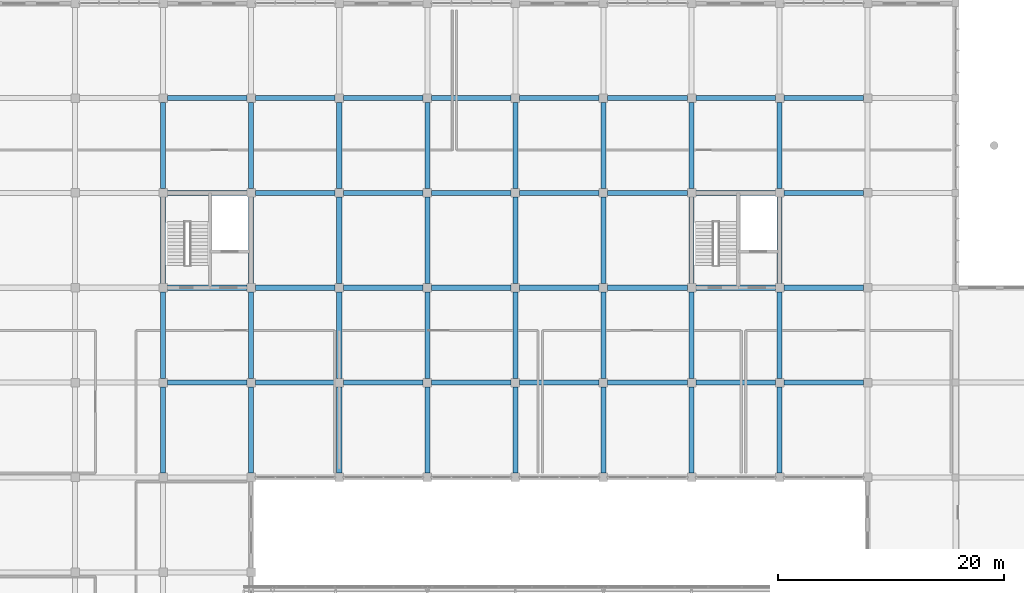
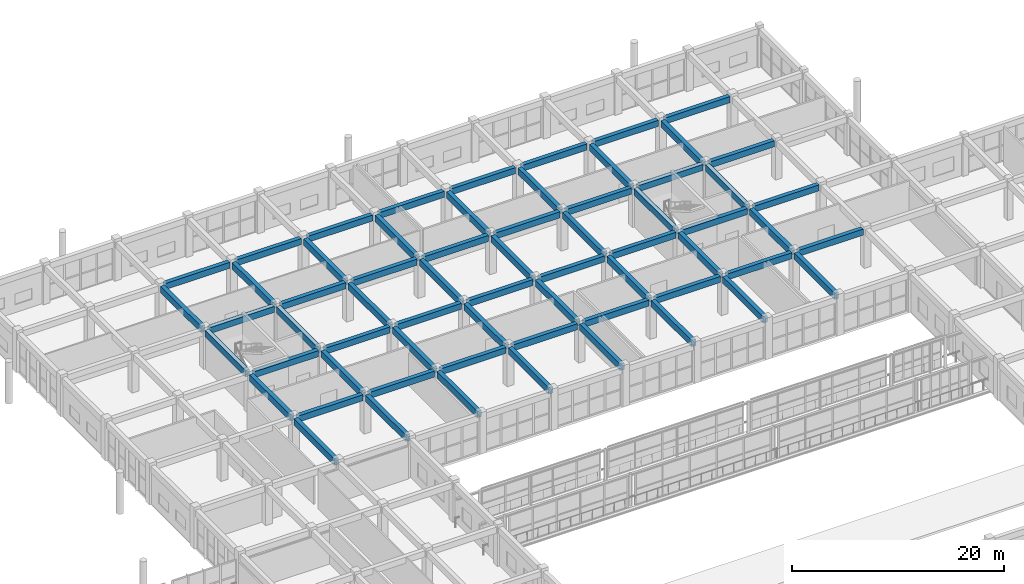
# One storey, part 81 of 167: 64 beams.
"""IFC4 building model written with IfcOpenShell, lengths in metres."""

from ifc_helpers import new_model, si_unit, direction, frame, origin, origin_2d, place, context, subcontext, project, spatial, rectangle, extrude, material, material_profile, profile_set, type_object, element, save


model = new_model("IFC4")

# Units and contexts
model_context = context("Model", 3, precision=1e-05, world=origin(), true_north=direction((0.0, 1.0)))
body_context = subcontext(model_context, "Body", "Model", "MODEL_VIEW")
ifc_project = project(units=[si_unit("LENGTHUNIT", "METRE"), si_unit("AREAUNIT", "SQUARE_METRE"), si_unit("VOLUMEUNIT", "CUBIC_METRE"), si_unit("PLANEANGLEUNIT", "RADIAN"), si_unit("MASSUNIT", "GRAM", prefix="KILO")], contexts=[model_context])

# Site, building, storey
site_placement = place(None, origin())
site = spatial("IfcSite", under=ifc_project, at=site_placement, CompositionType="ELEMENT")
building_placement = place(site_placement, origin())
building = spatial("IfcBuilding", under=site, at=building_placement, Name="Zizhar Promenade General Hospital", CompositionType="ELEMENT")
storey_placement = place(building_placement, frame((0.0, 0.0, 9.60009765625)))
storey = spatial("IfcBuildingStorey", under=building, at=storey_placement, Name="L02", CompositionType="ELEMENT", Elevation=9.60009765625)

# Beams
ifc_material_1 = material(Name="Concrete C35/45", Category="concrete")
ifc_material_profile_1 = material_profile(ifc_material_1, rectangle(XDim=0.449951171875, YDim=0.699951171875, at=origin_2d()))
ifc_profile_set_1 = profile_set([ifc_material_profile_1], Name="Concrete C35/45")
beam_type_1 = type_object("IfcBeamType", Name="BM-RC-450x700", PredefinedType="BEAM", material=ifc_profile_set_1)
for number, where, z_axis, x_axis, name in (
    (1, (62.77490234375, 100.800048828125, 4.119873046875), (1.0, 0.0, 0.0), (0.0, 1.0, 0.0), "Grid Beam X L02 (8-12)"),
    (2, (62.77490234375, 109.199951171875, 4.119873046875), (1.0, 0.0, 0.0), (0.0, 1.0, 0.0), "Grid Beam X L02 (8-13)"),
    (3, (62.77490234375, 117.60009765625, 4.119873046875), (1.0, 0.0, 0.0), (0.0, 1.0, 0.0), "Grid Beam X L02 (8-14)"),
    (4, (62.77490234375, 126.0, 4.119873046875), (1.0, 0.0, 0.0), (0.0, 1.0, 0.0), "Grid Beam X L02 (8-15)"),
    (5, (70.574951171875, 100.800048828125, 4.119873046875), (1.0, 0.0, 0.0), (0.0, 1.0, 0.0), "Grid Beam X L02 (9-12)"),
    (6, (70.574951171875, 109.199951171875, 4.119873046875), (1.0, 0.0, 0.0), (0.0, 1.0, 0.0), "Grid Beam X L02 (9-13)"),
    (7, (70.574951171875, 117.60009765625, 4.119873046875), (1.0, 0.0, 0.0), (0.0, 1.0, 0.0), "Grid Beam X L02 (9-14)"),
    (8, (70.574951171875, 126.0, 4.119873046875), (1.0, 0.0, 0.0), (0.0, 1.0, 0.0), "Grid Beam X L02 (9-15)"),
    (9, (78.375, 100.800048828125, 4.119873046875), (1.0, 0.0, 0.0), (0.0, 1.0, 0.0), "Grid Beam X L02 (10-12)"),
    (10, (78.375, 109.199951171875, 4.119873046875), (1.0, 0.0, 0.0), (0.0, 1.0, 0.0), "Grid Beam X L02 (10-13)"),
    (11, (78.375, 117.60009765625, 4.119873046875), (1.0, 0.0, 0.0), (0.0, 1.0, 0.0), "Grid Beam X L02 (10-14)"),
    (12, (78.375, 126.0, 4.119873046875), (1.0, 0.0, 0.0), (0.0, 1.0, 0.0), "Grid Beam X L02 (10-15)"),
    (13, (86.175048828125, 100.800048828125, 4.119873046875), (1.0, 0.0, 0.0), (0.0, 1.0, 0.0), "Grid Beam X L02 (11-12)"),
    (14, (86.175048828125, 109.199951171875, 4.119873046875), (1.0, 0.0, 0.0), (0.0, 1.0, 0.0), "Grid Beam X L02 (11-13)"),
    (15, (86.175048828125, 117.60009765625, 4.119873046875), (1.0, 0.0, 0.0), (0.0, 1.0, 0.0), "Grid Beam X L02 (11-14)"),
    (16, (86.175048828125, 126.0, 4.119873046875), (1.0, 0.0, 0.0), (0.0, 1.0, 0.0), "Grid Beam X L02 (11-15)"),
):
    element("IfcBeam", number, at=place(storey_placement, frame(where, z_axis=z_axis, x_axis=x_axis)), inside=storey, type_object=beam_type_1, Name=name, PredefinedType="BEAM", context=body_context, shape_type="SweptSolid", body=[
        extrude(rectangle(XDim=0.449951171875, YDim=0.699951171875, at=origin_2d()), origin(), (0.0, 0.0, 1.0), 7.050048828125),
    ])
for number, where, z_axis, x_axis, name in (
    (17, (93.97509765625, 100.800048828125, 4.119873046875), (1.0, 0.0, 0.0), (0.0, 1.0, 0.0), "Grid Beam X L02 (12-12)"),
    (18, (93.97509765625, 109.199951171875, 4.119873046875), (1.0, 0.0, 0.0), (0.0, 1.0, 0.0), "Grid Beam X L02 (12-13)"),
    (19, (93.97509765625, 117.60009765625, 4.119873046875), (1.0, 0.0, 0.0), (0.0, 1.0, 0.0), "Grid Beam X L02 (12-14)"),
    (20, (93.97509765625, 126.0, 4.119873046875), (1.0, 0.0, 0.0), (0.0, 1.0, 0.0), "Grid Beam X L02 (12-15)"),
):
    element("IfcBeam", number, at=place(storey_placement, frame(where, z_axis=z_axis, x_axis=x_axis)), inside=storey, type_object=beam_type_1, Name=name, PredefinedType="BEAM", context=body_context, shape_type="SweptSolid", body=[
        extrude(rectangle(XDim=0.449951171875, YDim=0.699951171875, at=origin_2d()), origin(), (0.0, 0.0, 1.0), 7.0498046875),
    ])
for number, where, z_axis, x_axis, name in (
    (21, (101.77490234375, 100.800048828125, 4.119873046875), (1.0, 0.0, 0.0), (0.0, 1.0, 0.0), "Grid Beam X L02 (13-12)"),
    (22, (101.77490234375, 109.199951171875, 4.119873046875), (1.0, 0.0, 0.0), (0.0, 1.0, 0.0), "Grid Beam X L02 (13-13)"),
    (23, (101.77490234375, 117.60009765625, 4.119873046875), (1.0, 0.0, 0.0), (0.0, 1.0, 0.0), "Grid Beam X L02 (13-14)"),
    (24, (101.77490234375, 126.0, 4.119873046875), (1.0, 0.0, 0.0), (0.0, 1.0, 0.0), "Grid Beam X L02 (13-15)"),
    (25, (109.574951171875, 100.800048828125, 4.119873046875), (1.0, 0.0, 0.0), (0.0, 1.0, 0.0), "Grid Beam X L02 (14-12)"),
    (26, (109.574951171875, 109.199951171875, 4.119873046875), (1.0, 0.0, 0.0), (0.0, 1.0, 0.0), "Grid Beam X L02 (14-13)"),
    (27, (109.574951171875, 117.60009765625, 4.119873046875), (1.0, 0.0, 0.0), (0.0, 1.0, 0.0), "Grid Beam X L02 (14-14)"),
    (28, (109.574951171875, 126.0, 4.119873046875), (1.0, 0.0, 0.0), (0.0, 1.0, 0.0), "Grid Beam X L02 (14-15)"),
    (29, (117.375, 100.800048828125, 4.119873046875), (1.0, 0.0, 0.0), (0.0, 1.0, 0.0), "Grid Beam X L02 (15-12)"),
    (30, (117.375, 109.199951171875, 4.119873046875), (1.0, 0.0, 0.0), (0.0, 1.0, 0.0), "Grid Beam X L02 (15-13)"),
    (31, (117.375, 117.60009765625, 4.119873046875), (1.0, 0.0, 0.0), (0.0, 1.0, 0.0), "Grid Beam X L02 (15-14)"),
    (32, (117.375, 126.0, 4.119873046875), (1.0, 0.0, 0.0), (0.0, 1.0, 0.0), "Grid Beam X L02 (15-15)"),
):
    element("IfcBeam", number, at=place(storey_placement, frame(where, z_axis=z_axis, x_axis=x_axis)), inside=storey, type_object=beam_type_1, Name=name, PredefinedType="BEAM", context=body_context, shape_type="SweptSolid", body=[
        extrude(rectangle(XDim=0.449951171875, YDim=0.699951171875, at=origin_2d()), origin(), (0.0, 0.0, 1.0), 7.050048828125),
    ])
ifc_material_2 = material(Name="Concrete C35/45", Category="concrete")
ifc_material_profile_2 = material_profile(ifc_material_2, rectangle(XDim=0.449951171875, YDim=0.75, at=origin_2d()))
ifc_profile_set_2 = profile_set([ifc_material_profile_2], Name="Concrete C35/45")
beam_type_2 = type_object("IfcBeamType", Name="BM-RC-450x750", PredefinedType="BEAM", material=ifc_profile_set_2)
beam_1_placement = place(storey_placement, frame((62.39990234375, 92.77490234375, 4.094970703125), z_axis=(0.0, 1.0, 0.0), x_axis=(-1.0, 0.0, 0.0)))
element("IfcBeam", 33, at=beam_1_placement, inside=storey, type_object=beam_type_2, Name="Grid Beam Y L02 (8-11)", PredefinedType="BEAM", context=body_context, shape_type="SweptSolid", body=[
    extrude(rectangle(XDim=0.449951171875, YDim=0.75, at=origin_2d()), origin(), (0.0, 0.0, 1.0), 7.650146484375),
])
beam_2_placement = place(storey_placement, frame((62.39990234375, 101.175048828125, 4.094970703125), z_axis=(0.0, 1.0, 0.0), x_axis=(-1.0, 0.0, 0.0)))
element("IfcBeam", 34, at=beam_2_placement, inside=storey, type_object=beam_type_2, Name="Grid Beam Y L02 (8-12)", PredefinedType="BEAM", context=body_context, shape_type="SweptSolid", body=[
    extrude(rectangle(XDim=0.449951171875, YDim=0.75, at=origin_2d()), origin(), (0.0, 0.0, 1.0), 7.64990234375),
])
beam_3_placement = place(storey_placement, frame((62.39990234375, 109.574951171875, 4.094970703125), z_axis=(0.0, 1.0, 0.0), x_axis=(-1.0, 0.0, 0.0)))
element("IfcBeam", 35, at=beam_3_placement, inside=storey, type_object=beam_type_2, Name="Grid Beam Y L02 (8-13)", PredefinedType="BEAM", context=body_context, shape_type="SweptSolid", body=[
    extrude(rectangle(XDim=0.449951171875, YDim=0.75, at=origin_2d()), origin(), (0.0, 0.0, 1.0), 7.650146484375),
])
beam_4_placement = place(storey_placement, frame((62.39990234375, 117.97509765625, 4.094970703125), z_axis=(0.0, 1.0, 0.0), x_axis=(-1.0, 0.0, 0.0)))
element("IfcBeam", 36, at=beam_4_placement, inside=storey, type_object=beam_type_2, Name="Grid Beam Y L02 (8-14)", PredefinedType="BEAM", context=body_context, shape_type="SweptSolid", body=[
    extrude(rectangle(XDim=0.449951171875, YDim=0.75, at=origin_2d()), origin(), (0.0, 0.0, 1.0), 7.64990234375),
])
beam_5_placement = place(storey_placement, frame((70.199951171875, 92.77490234375, 4.094970703125), z_axis=(0.0, 1.0, 0.0), x_axis=(-1.0, 0.0, 0.0)))
element("IfcBeam", 37, at=beam_5_placement, inside=storey, type_object=beam_type_2, Name="Grid Beam Y L02 (9-11)", PredefinedType="BEAM", context=body_context, shape_type="SweptSolid", body=[
    extrude(rectangle(XDim=0.449951171875, YDim=0.75, at=origin_2d()), origin(), (0.0, 0.0, 1.0), 7.650146484375),
])
beam_6_placement = place(storey_placement, frame((70.199951171875, 101.175048828125, 4.094970703125), z_axis=(0.0, 1.0, 0.0), x_axis=(-1.0, 0.0, 0.0)))
element("IfcBeam", 38, at=beam_6_placement, inside=storey, type_object=beam_type_2, Name="Grid Beam Y L02 (9-12)", PredefinedType="BEAM", context=body_context, shape_type="SweptSolid", body=[
    extrude(rectangle(XDim=0.449951171875, YDim=0.75, at=origin_2d()), origin(), (0.0, 0.0, 1.0), 7.64990234375),
])
beam_7_placement = place(storey_placement, frame((70.199951171875, 109.574951171875, 4.094970703125), z_axis=(0.0, 1.0, 0.0), x_axis=(-1.0, 0.0, 0.0)))
element("IfcBeam", 39, at=beam_7_placement, inside=storey, type_object=beam_type_2, Name="Grid Beam Y L02 (9-13)", PredefinedType="BEAM", context=body_context, shape_type="SweptSolid", body=[
    extrude(rectangle(XDim=0.449951171875, YDim=0.75, at=origin_2d()), origin(), (0.0, 0.0, 1.0), 7.650146484375),
])
beam_8_placement = place(storey_placement, frame((70.199951171875, 117.97509765625, 4.094970703125), z_axis=(0.0, 1.0, 0.0), x_axis=(-1.0, 0.0, 0.0)))
element("IfcBeam", 40, at=beam_8_placement, inside=storey, type_object=beam_type_2, Name="Grid Beam Y L02 (9-14)", PredefinedType="BEAM", context=body_context, shape_type="SweptSolid", body=[
    extrude(rectangle(XDim=0.449951171875, YDim=0.75, at=origin_2d()), origin(), (0.0, 0.0, 1.0), 7.64990234375),
])
beam_9_placement = place(storey_placement, frame((78.0, 92.77490234375, 4.094970703125), z_axis=(0.0, 1.0, 0.0), x_axis=(-1.0, 0.0, 0.0)))
element("IfcBeam", 41, at=beam_9_placement, inside=storey, type_object=beam_type_2, Name="Grid Beam Y L02 (10-11)", PredefinedType="BEAM", context=body_context, shape_type="SweptSolid", body=[
    extrude(rectangle(XDim=0.449951171875, YDim=0.75, at=origin_2d()), origin(), (0.0, 0.0, 1.0), 7.650146484375),
])
beam_10_placement = place(storey_placement, frame((78.0, 101.175048828125, 4.094970703125), z_axis=(0.0, 1.0, 0.0), x_axis=(-1.0, 0.0, 0.0)))
element("IfcBeam", 42, at=beam_10_placement, inside=storey, type_object=beam_type_2, Name="Grid Beam Y L02 (10-12)", PredefinedType="BEAM", context=body_context, shape_type="SweptSolid", body=[
    extrude(rectangle(XDim=0.449951171875, YDim=0.75, at=origin_2d()), origin(), (0.0, 0.0, 1.0), 7.64990234375),
])
beam_11_placement = place(storey_placement, frame((78.0, 109.574951171875, 4.094970703125), z_axis=(0.0, 1.0, 0.0), x_axis=(-1.0, 0.0, 0.0)))
element("IfcBeam", 43, at=beam_11_placement, inside=storey, type_object=beam_type_2, Name="Grid Beam Y L02 (10-13)", PredefinedType="BEAM", context=body_context, shape_type="SweptSolid", body=[
    extrude(rectangle(XDim=0.449951171875, YDim=0.75, at=origin_2d()), origin(), (0.0, 0.0, 1.0), 7.650146484375),
])
beam_12_placement = place(storey_placement, frame((78.0, 117.97509765625, 4.094970703125), z_axis=(0.0, 1.0, 0.0), x_axis=(-1.0, 0.0, 0.0)))
element("IfcBeam", 44, at=beam_12_placement, inside=storey, type_object=beam_type_2, Name="Grid Beam Y L02 (10-14)", PredefinedType="BEAM", context=body_context, shape_type="SweptSolid", body=[
    extrude(rectangle(XDim=0.449951171875, YDim=0.75, at=origin_2d()), origin(), (0.0, 0.0, 1.0), 7.64990234375),
])
beam_13_placement = place(storey_placement, frame((85.800048828125, 92.77490234375, 4.094970703125), z_axis=(0.0, 1.0, 0.0), x_axis=(-1.0, 0.0, 0.0)))
element("IfcBeam", 45, at=beam_13_placement, inside=storey, type_object=beam_type_2, Name="Grid Beam Y L02 (11-11)", PredefinedType="BEAM", context=body_context, shape_type="SweptSolid", body=[
    extrude(rectangle(XDim=0.449951171875, YDim=0.75, at=origin_2d()), origin(), (0.0, 0.0, 1.0), 7.650146484375),
])
beam_14_placement = place(storey_placement, frame((85.800048828125, 101.175048828125, 4.094970703125), z_axis=(0.0, 1.0, 0.0), x_axis=(-1.0, 0.0, 0.0)))
element("IfcBeam", 46, at=beam_14_placement, inside=storey, type_object=beam_type_2, Name="Grid Beam Y L02 (11-12)", PredefinedType="BEAM", context=body_context, shape_type="SweptSolid", body=[
    extrude(rectangle(XDim=0.449951171875, YDim=0.75, at=origin_2d()), origin(), (0.0, 0.0, 1.0), 7.64990234375),
])
beam_15_placement = place(storey_placement, frame((85.800048828125, 109.574951171875, 4.094970703125), z_axis=(0.0, 1.0, 0.0), x_axis=(-1.0, 0.0, 0.0)))
element("IfcBeam", 47, at=beam_15_placement, inside=storey, type_object=beam_type_2, Name="Grid Beam Y L02 (11-13)", PredefinedType="BEAM", context=body_context, shape_type="SweptSolid", body=[
    extrude(rectangle(XDim=0.449951171875, YDim=0.75, at=origin_2d()), origin(), (0.0, 0.0, 1.0), 7.650146484375),
])
beam_16_placement = place(storey_placement, frame((85.800048828125, 117.97509765625, 4.094970703125), z_axis=(0.0, 1.0, 0.0), x_axis=(-1.0, 0.0, 0.0)))
element("IfcBeam", 48, at=beam_16_placement, inside=storey, type_object=beam_type_2, Name="Grid Beam Y L02 (11-14)", PredefinedType="BEAM", context=body_context, shape_type="SweptSolid", body=[
    extrude(rectangle(XDim=0.449951171875, YDim=0.75, at=origin_2d()), origin(), (0.0, 0.0, 1.0), 7.64990234375),
])
beam_17_placement = place(storey_placement, frame((93.60009765625, 92.77490234375, 4.094970703125), z_axis=(0.0, 1.0, 0.0), x_axis=(-1.0, 0.0, 0.0)))
element("IfcBeam", 49, at=beam_17_placement, inside=storey, type_object=beam_type_2, Name="Grid Beam Y L02 (12-11)", PredefinedType="BEAM", context=body_context, shape_type="SweptSolid", body=[
    extrude(rectangle(XDim=0.449951171875, YDim=0.75, at=origin_2d()), origin(), (0.0, 0.0, 1.0), 7.650146484375),
])
beam_18_placement = place(storey_placement, frame((93.60009765625, 101.175048828125, 4.094970703125), z_axis=(0.0, 1.0, 0.0), x_axis=(-1.0, 0.0, 0.0)))
element("IfcBeam", 50, at=beam_18_placement, inside=storey, type_object=beam_type_2, Name="Grid Beam Y L02 (12-12)", PredefinedType="BEAM", context=body_context, shape_type="SweptSolid", body=[
    extrude(rectangle(XDim=0.449951171875, YDim=0.75, at=origin_2d()), origin(), (0.0, 0.0, 1.0), 7.64990234375),
])
beam_19_placement = place(storey_placement, frame((93.60009765625, 109.574951171875, 4.094970703125), z_axis=(0.0, 1.0, 0.0), x_axis=(-1.0, 0.0, 0.0)))
element("IfcBeam", 51, at=beam_19_placement, inside=storey, type_object=beam_type_2, Name="Grid Beam Y L02 (12-13)", PredefinedType="BEAM", context=body_context, shape_type="SweptSolid", body=[
    extrude(rectangle(XDim=0.449951171875, YDim=0.75, at=origin_2d()), origin(), (0.0, 0.0, 1.0), 7.650146484375),
])
beam_20_placement = place(storey_placement, frame((93.60009765625, 117.97509765625, 4.094970703125), z_axis=(0.0, 1.0, 0.0), x_axis=(-1.0, 0.0, 0.0)))
element("IfcBeam", 52, at=beam_20_placement, inside=storey, type_object=beam_type_2, Name="Grid Beam Y L02 (12-14)", PredefinedType="BEAM", context=body_context, shape_type="SweptSolid", body=[
    extrude(rectangle(XDim=0.449951171875, YDim=0.75, at=origin_2d()), origin(), (0.0, 0.0, 1.0), 7.64990234375),
])
beam_21_placement = place(storey_placement, frame((101.39990234375, 92.77490234375, 4.094970703125), z_axis=(0.0, 1.0, 0.0), x_axis=(-1.0, 0.0, 0.0)))
element("IfcBeam", 53, at=beam_21_placement, inside=storey, type_object=beam_type_2, Name="Grid Beam Y L02 (13-11)", PredefinedType="BEAM", context=body_context, shape_type="SweptSolid", body=[
    extrude(rectangle(XDim=0.449951171875, YDim=0.75, at=origin_2d()), origin(), (0.0, 0.0, 1.0), 7.650146484375),
])
beam_22_placement = place(storey_placement, frame((101.39990234375, 101.175048828125, 4.094970703125), z_axis=(0.0, 1.0, 0.0), x_axis=(-1.0, 0.0, 0.0)))
element("IfcBeam", 54, at=beam_22_placement, inside=storey, type_object=beam_type_2, Name="Grid Beam Y L02 (13-12)", PredefinedType="BEAM", context=body_context, shape_type="SweptSolid", body=[
    extrude(rectangle(XDim=0.449951171875, YDim=0.75, at=origin_2d()), origin(), (0.0, 0.0, 1.0), 7.64990234375),
])
beam_23_placement = place(storey_placement, frame((101.39990234375, 109.574951171875, 4.094970703125), z_axis=(0.0, 1.0, 0.0), x_axis=(-1.0, 0.0, 0.0)))
element("IfcBeam", 55, at=beam_23_placement, inside=storey, type_object=beam_type_2, Name="Grid Beam Y L02 (13-13)", PredefinedType="BEAM", context=body_context, shape_type="SweptSolid", body=[
    extrude(rectangle(XDim=0.449951171875, YDim=0.75, at=origin_2d()), origin(), (0.0, 0.0, 1.0), 7.650146484375),
])
beam_24_placement = place(storey_placement, frame((101.39990234375, 117.97509765625, 4.094970703125), z_axis=(0.0, 1.0, 0.0), x_axis=(-1.0, 0.0, 0.0)))
element("IfcBeam", 56, at=beam_24_placement, inside=storey, type_object=beam_type_2, Name="Grid Beam Y L02 (13-14)", PredefinedType="BEAM", context=body_context, shape_type="SweptSolid", body=[
    extrude(rectangle(XDim=0.449951171875, YDim=0.75, at=origin_2d()), origin(), (0.0, 0.0, 1.0), 7.64990234375),
])
beam_25_placement = place(storey_placement, frame((109.199951171875, 92.77490234375, 4.094970703125), z_axis=(0.0, 1.0, 0.0), x_axis=(-1.0, 0.0, 0.0)))
element("IfcBeam", 57, at=beam_25_placement, inside=storey, type_object=beam_type_2, Name="Grid Beam Y L02 (14-11)", PredefinedType="BEAM", context=body_context, shape_type="SweptSolid", body=[
    extrude(rectangle(XDim=0.449951171875, YDim=0.75, at=origin_2d()), origin(), (0.0, 0.0, 1.0), 7.650146484375),
])
beam_26_placement = place(storey_placement, frame((109.199951171875, 101.175048828125, 4.094970703125), z_axis=(0.0, 1.0, 0.0), x_axis=(-1.0, 0.0, 0.0)))
element("IfcBeam", 58, at=beam_26_placement, inside=storey, type_object=beam_type_2, Name="Grid Beam Y L02 (14-12)", PredefinedType="BEAM", context=body_context, shape_type="SweptSolid", body=[
    extrude(rectangle(XDim=0.449951171875, YDim=0.75, at=origin_2d()), origin(), (0.0, 0.0, 1.0), 7.64990234375),
])
beam_27_placement = place(storey_placement, frame((109.199951171875, 109.574951171875, 4.094970703125), z_axis=(0.0, 1.0, 0.0), x_axis=(-1.0, 0.0, 0.0)))
element("IfcBeam", 59, at=beam_27_placement, inside=storey, type_object=beam_type_2, Name="Grid Beam Y L02 (14-13)", PredefinedType="BEAM", context=body_context, shape_type="SweptSolid", body=[
    extrude(rectangle(XDim=0.449951171875, YDim=0.75, at=origin_2d()), origin(), (0.0, 0.0, 1.0), 7.650146484375),
])
beam_28_placement = place(storey_placement, frame((109.199951171875, 117.97509765625, 4.094970703125), z_axis=(0.0, 1.0, 0.0), x_axis=(-1.0, 0.0, 0.0)))
element("IfcBeam", 60, at=beam_28_placement, inside=storey, type_object=beam_type_2, Name="Grid Beam Y L02 (14-14)", PredefinedType="BEAM", context=body_context, shape_type="SweptSolid", body=[
    extrude(rectangle(XDim=0.449951171875, YDim=0.75, at=origin_2d()), origin(), (0.0, 0.0, 1.0), 7.64990234375),
])
beam_29_placement = place(storey_placement, frame((117.0, 92.77490234375, 4.094970703125), z_axis=(0.0, 1.0, 0.0), x_axis=(-1.0, 0.0, 0.0)))
element("IfcBeam", 61, at=beam_29_placement, inside=storey, type_object=beam_type_2, Name="Grid Beam Y L02 (15-11)", PredefinedType="BEAM", context=body_context, shape_type="SweptSolid", body=[
    extrude(rectangle(XDim=0.449951171875, YDim=0.75, at=origin_2d()), origin(), (0.0, 0.0, 1.0), 7.650146484375),
])
beam_30_placement = place(storey_placement, frame((117.0, 101.175048828125, 4.094970703125), z_axis=(0.0, 1.0, 0.0), x_axis=(-1.0, 0.0, 0.0)))
element("IfcBeam", 62, at=beam_30_placement, inside=storey, type_object=beam_type_2, Name="Grid Beam Y L02 (15-12)", PredefinedType="BEAM", context=body_context, shape_type="SweptSolid", body=[
    extrude(rectangle(XDim=0.449951171875, YDim=0.75, at=origin_2d()), origin(), (0.0, 0.0, 1.0), 7.64990234375),
])
beam_31_placement = place(storey_placement, frame((117.0, 109.574951171875, 4.094970703125), z_axis=(0.0, 1.0, 0.0), x_axis=(-1.0, 0.0, 0.0)))
element("IfcBeam", 63, at=beam_31_placement, inside=storey, type_object=beam_type_2, Name="Grid Beam Y L02 (15-13)", PredefinedType="BEAM", context=body_context, shape_type="SweptSolid", body=[
    extrude(rectangle(XDim=0.449951171875, YDim=0.75, at=origin_2d()), origin(), (0.0, 0.0, 1.0), 7.650146484375),
])
beam_32_placement = place(storey_placement, frame((117.0, 117.97509765625, 4.094970703125), z_axis=(0.0, 1.0, 0.0), x_axis=(-1.0, 0.0, 0.0)))
element("IfcBeam", 64, at=beam_32_placement, inside=storey, type_object=beam_type_2, Name="Grid Beam Y L02 (15-14)", PredefinedType="BEAM", context=body_context, shape_type="SweptSolid", body=[
    extrude(rectangle(XDim=0.449951171875, YDim=0.75, at=origin_2d()), origin(), (0.0, 0.0, 1.0), 7.64990234375),
])

save(model, "model.ifc")
